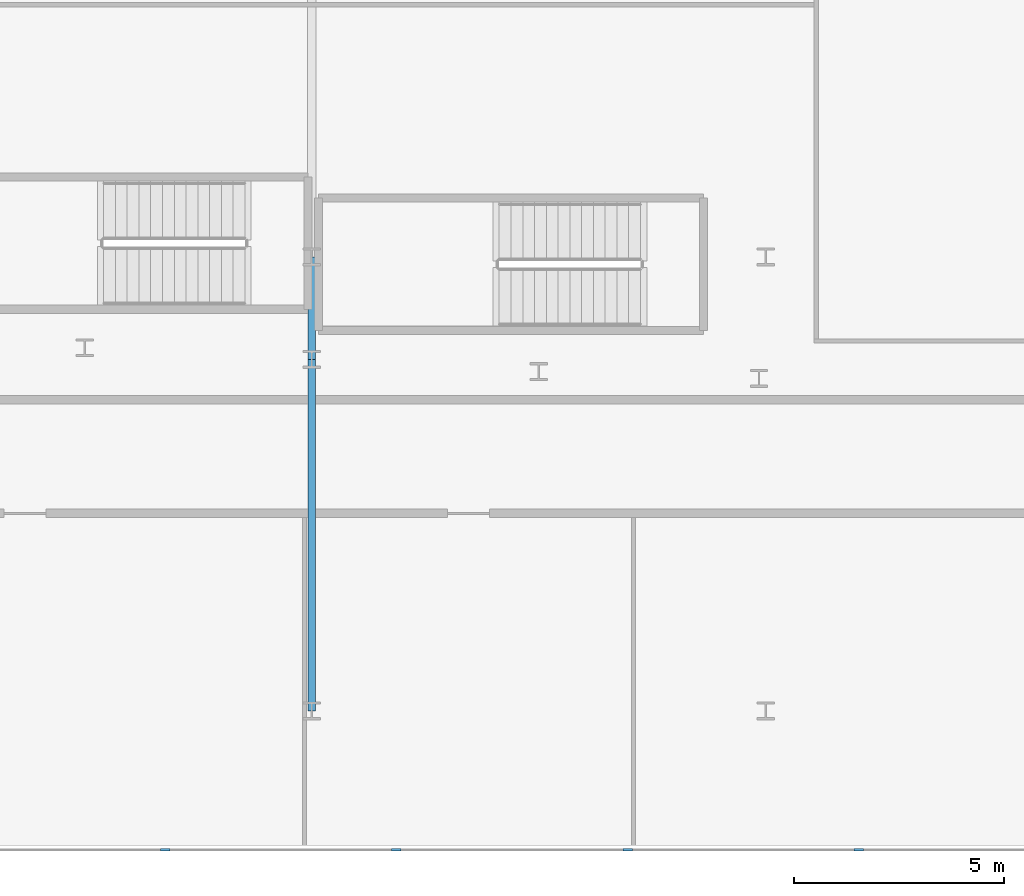
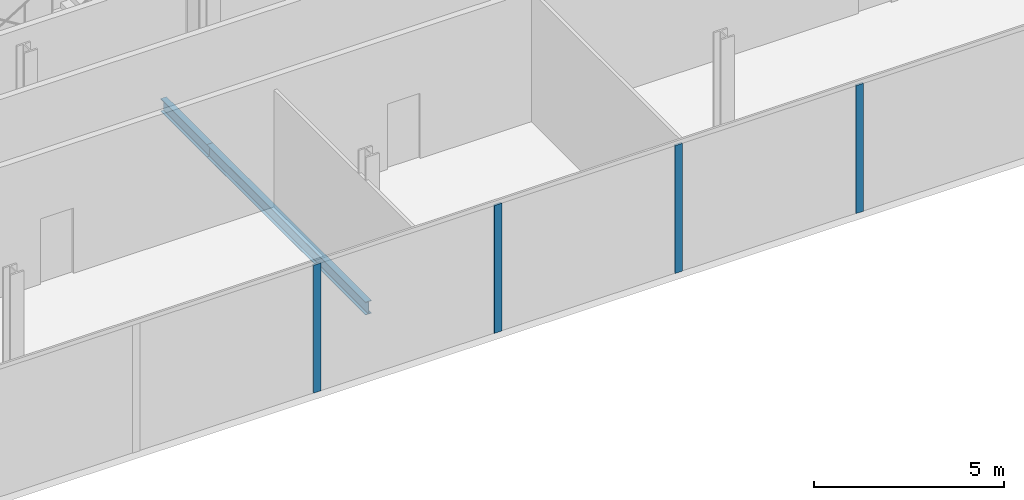
# One storey, part 10 of 47: 4 members, 2 beams, 1 element without a shape of its own.
"""IFC4 building model written with IfcOpenShell, lengths in metres."""

from ifc_helpers import new_model, si_unit, direction, frame, origin, origin_2d, place, context, subcontext, project, spatial, rectangle, i_section, extrude, material, layer, layer_set, material_profile, profile_set, type_object, element, aggregate, save


model = new_model("IFC4")

# Units and contexts
model_context = context("Model", 3, precision=1e-05, world=origin(), true_north=direction((0.0, 1.0)))
body_context = subcontext(model_context, "Body", "Model", "MODEL_VIEW")
ifc_project = project(units=[si_unit("LENGTHUNIT", "METRE"), si_unit("AREAUNIT", "SQUARE_METRE"), si_unit("VOLUMEUNIT", "CUBIC_METRE"), si_unit("PLANEANGLEUNIT", "RADIAN"), si_unit("MASSUNIT", "GRAM", prefix="KILO")], contexts=[model_context])

# Site, building, storey
site_placement = place(None, origin())
site = spatial("IfcSite", under=ifc_project, at=site_placement, CompositionType="ELEMENT")
building_placement = place(site_placement, origin())
building = spatial("IfcBuilding", under=site, at=building_placement, Name="Kheshtan School and Residences Tower", CompositionType="ELEMENT")
storey_placement = place(building_placement, frame((0.0, 0.0, 12.5)))
storey = spatial("IfcBuildingStorey", under=building, at=storey_placement, Name="L02", CompositionType="ELEMENT", Elevation=12.5)

# Beams
ifc_material_1 = material(Name="Steel ASTM A992 Grade 50", Category="steel")
ifc_material_profile_1 = material_profile(ifc_material_1, i_section(OverallWidth=0.180908203125, OverallDepth=0.4169921875, WebThickness=0.010986328125, FlangeThickness=0.018310546875, FilletRadius=0.012451171875, at=origin_2d()), Name="W410x85")
ifc_profile_set_1 = profile_set([ifc_material_profile_1], Name="Steel ASTM A992 Grade 50")
beam_type = type_object("IfcBeamType", Name="Beam PB1 W410x85 ASTM A992 Grade 50", PredefinedType="BEAM", material=ifc_profile_set_1)
beam_1_placement = place(storey_placement, frame((80.0, 13.199951171875, -0.528564453125), z_axis=(0.0, 1.0, 0.0), x_axis=(-1.0, 0.0, 0.0)))
element("IfcBeam", 1, at=beam_1_placement, inside=storey, type_object=beam_type, Name="Podium floor beam PB1", PredefinedType="BEAM", context=body_context, shape_type="SweptSolid", body=[
    extrude(i_section(OverallWidth=0.180908203125, OverallDepth=0.4169921875, WebThickness=0.010986328125, FlangeThickness=0.018310546875, FilletRadius=0.012451171875, at=origin_2d()), origin(), (0.0, 0.0, 1.0), 8.360107421875),
])
beam_2_placement = place(storey_placement, frame((80.0, 21.56005859375, -0.528564453125), z_axis=(0.0, 1.0, 0.0), x_axis=(-1.0, 0.0, 0.0)))
element("IfcBeam", 2, at=beam_2_placement, inside=storey, type_object=beam_type, Name="Podium floor beam PB1", PredefinedType="BEAM", context=body_context, shape_type="SweptSolid", body=[
    extrude(i_section(OverallWidth=0.180908203125, OverallDepth=0.4169921875, WebThickness=0.010986328125, FlangeThickness=0.018310546875, FilletRadius=0.012451171875, at=origin_2d()), origin(), (0.0, 0.0, 1.0), 2.43994140625),
])

# Curtain wall, members
ifc_material_2 = material(Name="Clear low-e glass in thermally broken aluminium frame", Category="aluminium")
ifc_layer = layer(ifc_material_2, 0.22509765625)
ifc_layer_set = layer_set([ifc_layer], Name="Curtain wall CW-P")
curtain_wall_type = type_object("IfcCurtainWallType", Name="Curtain wall CW-P", PredefinedType="NOTDEFINED", material=ifc_layer_set)
curtain_wall_placement = place(storey_placement, origin())
curtain_wall = element("IfcCurtainWall", 3, at=curtain_wall_placement, inside=storey, type_object=curtain_wall_type, Name="Curtain wall CWP12a", PredefinedType="NOTDEFINED")
ifc_material_3 = material(Name="Thermally broken aluminium, dark bronze anodised", Category="aluminium")
ifc_material_profile_2 = material_profile(ifc_material_3, rectangle(XDim=0.06005859375, YDim=0.22509765625, at=origin_2d()), Name="CW-P mullion 60x225")
ifc_profile_set_2 = profile_set([ifc_material_profile_2], Name="Thermally broken aluminium, dark bronze anodised")
member_type = type_object("IfcMemberType", Name="CW-P mullion 60x225", PredefinedType="MULLION", material=ifc_profile_set_2)
member_1_placement = place(storey_placement, frame((93.010986328125, 9.89990234375, 0.0), z_axis=(0.0, 0.0, 1.0), x_axis=(0.0, -1.0, 0.0)))
member_1 = element("IfcMember", 4, at=member_1_placement, type_object=member_type, Name="CWP12a mullion 7", PredefinedType="MULLION", context=body_context, shape_type="SweptSolid", body=[
    extrude(rectangle(XDim=0.06005859375, YDim=0.22509765625, at=origin_2d()), origin(), (0.0, 0.0, 1.0), 4.110107421875),
])
member_2_placement = place(storey_placement, frame((87.5126953125, 9.89990234375, 0.0), z_axis=(0.0, 0.0, 1.0), x_axis=(0.0, -1.0, 0.0)))
member_2 = element("IfcMember", 5, at=member_2_placement, type_object=member_type, Name="CWP12a mullion 8", PredefinedType="MULLION", context=body_context, shape_type="SweptSolid", body=[
    extrude(rectangle(XDim=0.06005859375, YDim=0.22509765625, at=origin_2d()), origin(), (0.0, 0.0, 1.0), 4.110107421875),
])
member_3_placement = place(storey_placement, frame((82.0146484375, 9.89990234375, 0.0), z_axis=(0.0, 0.0, 1.0), x_axis=(0.0, -1.0, 0.0)))
member_3 = element("IfcMember", 6, at=member_3_placement, type_object=member_type, Name="CWP12a mullion 9", PredefinedType="MULLION", context=body_context, shape_type="SweptSolid", body=[
    extrude(rectangle(XDim=0.06005859375, YDim=0.22509765625, at=origin_2d()), origin(), (0.0, 0.0, 1.0), 4.110107421875),
])
member_4_placement = place(storey_placement, frame((76.516357421875, 9.89990234375, 0.0), z_axis=(0.0, 0.0, 1.0), x_axis=(0.0, -1.0, 0.0)))
member_4 = element("IfcMember", 7, at=member_4_placement, type_object=member_type, Name="CWP12a mullion 10", PredefinedType="MULLION", context=body_context, shape_type="SweptSolid", body=[
    extrude(rectangle(XDim=0.06005859375, YDim=0.22509765625, at=origin_2d()), origin(), (0.0, 0.0, 1.0), 4.110107421875),
])
aggregate(curtain_wall, [member_1, member_2, member_3, member_4])

save(model, "model.ifc")
